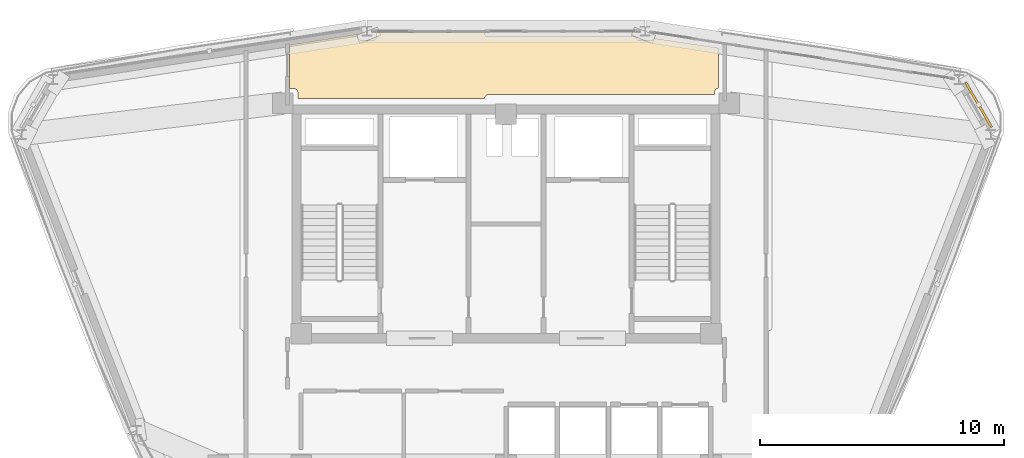
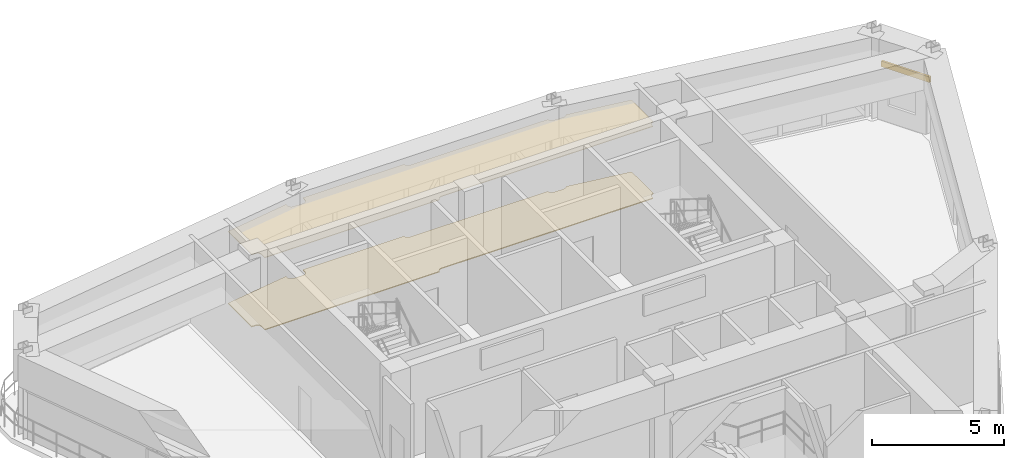
# One storey, part 18 of 18: 2 coverings, 1 shading device.
"""IFC4 building model written with IfcOpenShell, lengths in metres."""

from ifc_helpers import new_model, si_unit, derived_unit, direction, frame, origin, origin_2d, place, context, subcontext, project, spatial, polyline, hollow_rectangle, outline, extrude, source, transform, mapped, material, layer, layer_set, material_profile, profile_set, type_object, element, save


model = new_model("IFC4")

# Units and contexts
model_context = context("Model", 3, precision=1e-05, world=origin(), true_north=direction((0.0, 1.0)))
body_context = subcontext(model_context, "Body", "Model", "MODEL_VIEW")
ifc_project = project(units=[si_unit("LENGTHUNIT", "METRE"), si_unit("AREAUNIT", "SQUARE_METRE"), si_unit("VOLUMEUNIT", "CUBIC_METRE"), si_unit("PLANEANGLEUNIT", "RADIAN"), si_unit("MASSUNIT", "GRAM", prefix="KILO"), derived_unit("THERMALTRANSMITTANCEUNIT", [(si_unit("POWERUNIT", "WATT"), 1), (si_unit("LENGTHUNIT", "METRE"), -2), (si_unit("THERMODYNAMICTEMPERATUREUNIT", "KELVIN"), -1)])], contexts=[model_context])

# Site, building, storey
site_placement = place(None, origin())
site = spatial("IfcSite", under=ifc_project, at=site_placement, CompositionType="ELEMENT")
building_placement = place(site_placement, origin())
building = spatial("IfcBuilding", under=site, at=building_placement, Name="Korsvarv Bourse and Concert Hall", CompositionType="ELEMENT")
storey_placement = place(building_placement, frame((0.0, 0.0, 275.39990234375)))
storey = spatial("IfcBuildingStorey", under=building, at=storey_placement, Name="L72", CompositionType="ELEMENT", Elevation=275.39990234375)

# Coverings
ifc_material_1 = material(Name="Perforated mineral-wool and birch acoustic baffle ceiling", Category="wood")
ifc_layer_1 = layer(ifc_material_1, 0.02490234375)
ifc_layer_set_1 = layer_set([ifc_layer_1], Name="Perforated mineral-wool and birch acoustic baffle ceiling")
covering_type_1 = type_object("IfcCoveringType", Name="COV-CEIL-1", PredefinedType="CEILING", material=ifc_layer_set_1)
covering_1_placement = place(storey_placement, frame((0.0, 0.0, 3.340087890625)))
element("IfcCovering", 1, at=covering_1_placement, inside=storey, type_object=covering_type_1, Name="L72 acoustic baffle ceiling 3", PredefinedType="CEILING", context=body_context, shape_type="SweptSolid", body=[
    extrude(outline(polyline([(29.910400390625, 50.0791015625), (29.910400390625, 50.000244140625), (29.913818359375, 49.9658203125), (29.923583984375, 49.932373046875), (29.939697265625, 49.901611328125), (29.96142578125, 49.87451171875), (29.988037109375, 49.852294921875), (30.018310546875, 49.835205078125), (30.051513671875, 49.824462890625), (30.0859375, 49.8203125), (30.496826171875, 49.810302734375), (30.531982421875, 49.81298828125), (30.56591796875, 49.822265625), (30.597412109375, 49.837890625), (30.625, 49.859619140625), (30.648193359375, 49.885986328125), (30.66552734375, 49.916748046875), (30.6767578125, 49.949951171875), (30.68115234375, 49.98486328125), (30.685791015625, 50.139892578125), (35.111328125, 50.139892578125), (35.11572265625, 50.114501953125), (35.12841796875, 50.08056640625), (35.147705078125, 50.049560546875), (35.1728515625, 50.023193359375), (35.20263671875, 50.00244140625), (35.236083984375, 49.988037109375), (35.271728515625, 49.980712890625), (41.31005859375, 49.979736328125), (41.316162109375, 49.94873046875), (41.329345703125, 49.916748046875), (41.348388671875, 49.8876953125), (41.37255859375, 49.86279296875), (41.401123046875, 49.843017578125), (41.43310546875, 49.8291015625), (41.467041015625, 49.821533203125), (41.895263671875, 49.810302734375), (41.929443359375, 49.812744140625), (41.96240234375, 49.821533203125), (41.9931640625, 49.83642578125), (42.0205078125, 49.85693359375), (42.043701171875, 49.88232421875), (42.0615234375, 49.911376953125), (44.7099609375, 49.513427734375), (44.7099609375, 47.8642578125), (44.674072265625, 47.857666015625), (44.64208984375, 47.8447265625), (44.613037109375, 47.825927734375), (44.58837890625, 47.802001953125), (44.568603515625, 47.77392578125), (44.554443359375, 47.742431640625), (44.546630859375, 47.708984375), (44.541748046875, 47.60009765625), (35.2900390625, 47.60009765625), (35.25390625, 47.59619140625), (35.218994140625, 47.58544921875), (35.187255859375, 47.567626953125), (35.15966796875, 47.5439453125), (35.13720703125, 47.51513671875), (35.12109375, 47.482421875), (35.112060546875, 47.447265625), (27.465087890625, 47.43994140625), (27.465087890625, 47.675048828125), (27.461669921875, 47.70947265625), (27.451904296875, 47.74267578125), (27.435791015625, 47.773193359375), (27.414306640625, 47.80029296875), (27.3876953125, 47.82275390625), (27.357666015625, 47.839599609375), (27.32470703125, 47.8505859375), (27.290283203125, 47.85498046875), (27.1298828125, 47.859619140625), (27.1298828125, 49.640869140625), (29.910400390625, 50.0791015625)])), origin(), (0.0, 0.0, 1.0), 0.02490234375),
])
ifc_material_2 = material(Name="Calcium-sulphate raised access trading floor with Nordic oak top", Category="wood")
ifc_layer_2 = layer(ifc_material_2, 0.0400390625)
ifc_layer_set_2 = layer_set([ifc_layer_2], Name="Calcium-sulphate raised access trading floor with Nordic oak top")
covering_type_2 = type_object("IfcCoveringType", Name="COV-FLOR-1", PredefinedType="FLOORING", material=ifc_layer_set_2)
covering_2_placement = place(storey_placement, origin())
element("IfcCovering", 2, at=covering_2_placement, inside=storey, type_object=covering_type_2, Name="L72 raised access oak floor finish 3", PredefinedType="FLOORING", context=body_context, shape_type="SweptSolid", body=[
    extrude(outline(polyline([(29.910400390625, 50.0791015625), (29.910400390625, 50.000244140625), (29.913818359375, 49.9658203125), (29.923583984375, 49.932373046875), (29.939697265625, 49.901611328125), (29.96142578125, 49.87451171875), (29.988037109375, 49.852294921875), (30.018310546875, 49.835205078125), (30.051513671875, 49.824462890625), (30.0859375, 49.8203125), (30.496826171875, 49.810302734375), (30.531982421875, 49.81298828125), (30.56591796875, 49.822265625), (30.597412109375, 49.837890625), (30.625, 49.859619140625), (30.648193359375, 49.885986328125), (30.66552734375, 49.916748046875), (30.6767578125, 49.949951171875), (30.68115234375, 49.98486328125), (30.685791015625, 50.139892578125), (35.111328125, 50.139892578125), (35.11572265625, 50.114501953125), (35.12841796875, 50.08056640625), (35.147705078125, 50.049560546875), (35.1728515625, 50.023193359375), (35.20263671875, 50.00244140625), (35.236083984375, 49.988037109375), (35.271728515625, 49.980712890625), (41.31005859375, 49.979736328125), (41.316162109375, 49.94873046875), (41.329345703125, 49.916748046875), (41.348388671875, 49.8876953125), (41.37255859375, 49.86279296875), (41.401123046875, 49.843017578125), (41.43310546875, 49.8291015625), (41.467041015625, 49.821533203125), (41.895263671875, 49.810302734375), (41.929443359375, 49.812744140625), (41.96240234375, 49.821533203125), (41.9931640625, 49.83642578125), (42.0205078125, 49.85693359375), (42.043701171875, 49.88232421875), (42.0615234375, 49.911376953125), (44.7099609375, 49.513427734375), (44.7099609375, 47.8642578125), (44.674072265625, 47.857666015625), (44.64208984375, 47.8447265625), (44.613037109375, 47.825927734375), (44.58837890625, 47.802001953125), (44.568603515625, 47.77392578125), (44.554443359375, 47.742431640625), (44.546630859375, 47.708984375), (44.541748046875, 47.60009765625), (35.2900390625, 47.60009765625), (35.25390625, 47.59619140625), (35.218994140625, 47.58544921875), (35.187255859375, 47.567626953125), (35.15966796875, 47.5439453125), (35.13720703125, 47.51513671875), (35.12109375, 47.482421875), (35.112060546875, 47.447265625), (27.465087890625, 47.43994140625), (27.465087890625, 47.675048828125), (27.461669921875, 47.70947265625), (27.451904296875, 47.74267578125), (27.435791015625, 47.773193359375), (27.414306640625, 47.80029296875), (27.3876953125, 47.82275390625), (27.357666015625, 47.839599609375), (27.32470703125, 47.8505859375), (27.290283203125, 47.85498046875), (27.1298828125, 47.859619140625), (27.1298828125, 49.640869140625), (29.910400390625, 50.0791015625)])), origin(), (0.0, 0.0, 1.0), 0.0400390625),
])

# Shading device
ifc_material_3 = material(Name="Glazed extruded architectural terracotta", Category="ceramic")
ifc_material_profile = material_profile(ifc_material_3, hollow_rectangle(XDim=0.090087890625, YDim=0.260009765625, WallThickness=0.011962890625, at=origin_2d()), Name="TC-BAG 90x260")
ifc_profile_set = profile_set([ifc_material_profile], Name="Glazed extruded architectural terracotta")
shading_device_type = type_object("IfcShadingDeviceType", Name="SHD-BAG-1", PredefinedType="USERDEFINED", material=ifc_profile_set)
shared_shape = source(origin(), body_context, "Body", "SweptSolid", [
    extrude(hollow_rectangle(XDim=0.090087890625, YDim=0.260009765625, WallThickness=0.011962890625, at=origin_2d()), origin(), (0.0, 0.0, 1.0), 2.126220703125),
])
shading_device_placement = place(storey_placement, frame((55.905517578125, 46.264892578125, 2.360107421875), z_axis=(-0.500053759389, 0.865994363562, 0.0), x_axis=(-0.865994363562, -0.500053759389, 0.0)))
element("IfcShadingDevice", 3, at=shading_device_placement, inside=storey, type_object=shading_device_type, Name="L72 terracotta baguette sunshade EW-L72-B01", ObjectType="BAGUETTE", PredefinedType="USERDEFINED", context=body_context, shape_type="MappedRepresentation", body=[
    mapped(shared_shape, transform((0.0, 0.0, 0.0), scale=1.0)),
])

save(model, "model.ifc")
